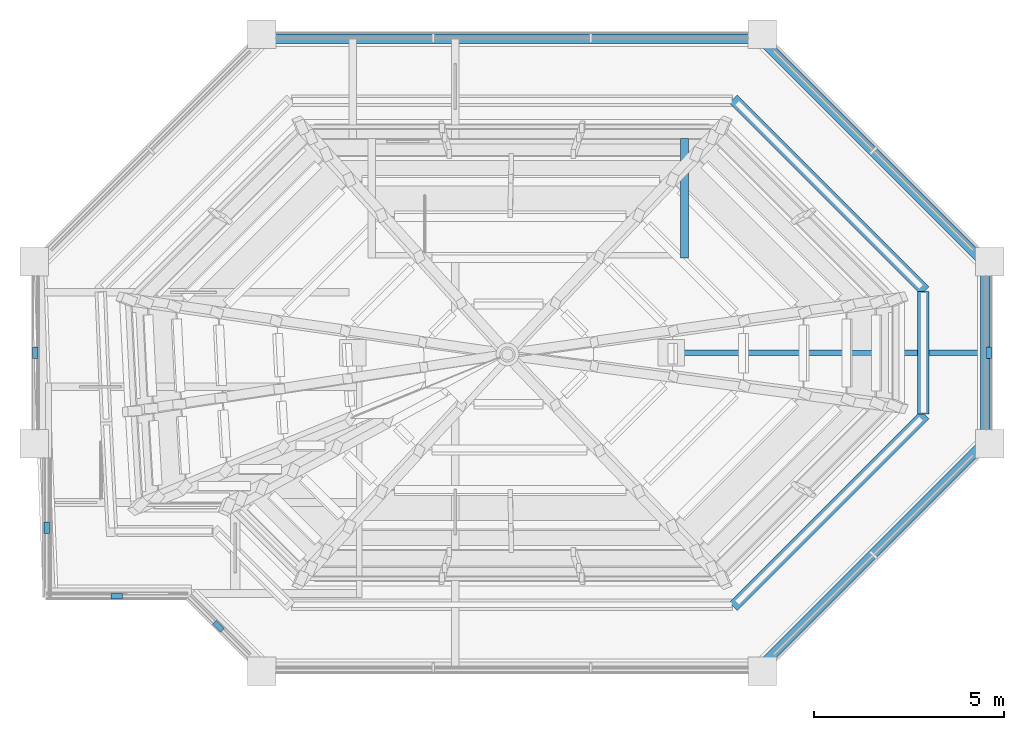
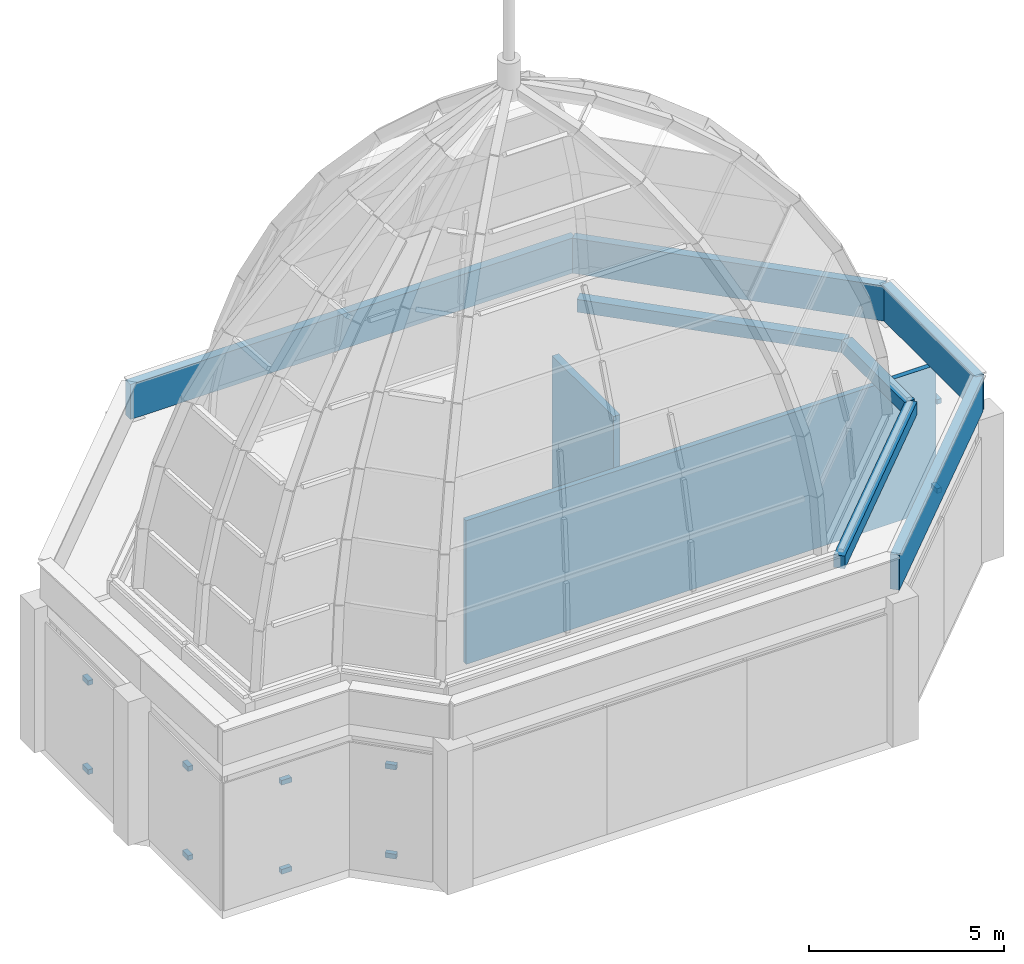
# One storey, part 5 of 9: 10 discrete accessories, 9 walls.
"""IFC4 building model written with IfcOpenShell, lengths in metres."""

from ifc_helpers import new_model, si_unit, direction, frame, frame_2d, origin, origin_2d, place, context, subcontext, project, spatial, rectangle, extrude, material, layer, layer_set, type_object, element, save


model = new_model("IFC4")

# Units and contexts
model_context = context("Model", 3, precision=1e-05, world=origin(), true_north=direction((0.0, 1.0)))
body_context = subcontext(model_context, "Body", "Model", "MODEL_VIEW")
ifc_project = project(units=[si_unit("LENGTHUNIT", "METRE"), si_unit("AREAUNIT", "SQUARE_METRE"), si_unit("VOLUMEUNIT", "CUBIC_METRE"), si_unit("PLANEANGLEUNIT", "RADIAN"), si_unit("MASSUNIT", "GRAM", prefix="KILO")], contexts=[model_context])

# Site, building, storey
site_placement = place(None, origin())
site = spatial("IfcSite", under=ifc_project, at=site_placement, CompositionType="ELEMENT")
building_placement = place(site_placement, origin())
building = spatial("IfcBuilding", under=site, at=building_placement, Name="Kawkab Arch Medical Tower", CompositionType="ELEMENT")
storey_placement = place(building_placement, frame((0.0, 0.0, 359.199951171875)))
storey = spatial("IfcBuildingStorey", under=building, at=storey_placement, Name="L83", CompositionType="ELEMENT", Elevation=359.199951171875)

# Walls
ifc_material_1 = material(Name="Concrete C40/50", Category="concrete")
ifc_layer_1 = layer(ifc_material_1, 0.300048828125)
ifc_layer_set_1 = layer_set([ifc_layer_1], Name="Concrete C40/50")
wall_type_1 = type_object("IfcWallType", Name="BMU curb 300 x 400", PredefinedType="SOLIDWALL", material=ifc_layer_set_1)
wall_1_placement = place(storey_placement, frame((18.43115234375, -26.906005859375, 4.5), z_axis=(0.0, 0.0, 1.0), x_axis=(0.707106781187, -0.707106781187, 0.0)))
element("IfcWall", 1, at=wall_1_placement, inside=storey, type_object=wall_type_1, Name="BMU rail curb 3", PredefinedType="SOLIDWALL", context=body_context, shape_type="SweptSolid", body=[
    extrude(rectangle(XDim=7.159912109375, YDim=0.300048828125, at=frame_2d((3.580078125, 0.0))), origin(), (0.0, 0.0, 1.0), 0.400146484375),
])
wall_2_placement = place(storey_placement, frame((23.449951171875, -31.987060546875, 4.5), z_axis=(0.0, 0.0, 1.0), x_axis=(0.0, -1.0, 0.0)))
element("IfcWall", 2, at=wall_2_placement, inside=storey, type_object=wall_type_1, Name="BMU rail curb 4", PredefinedType="SOLIDWALL", context=body_context, shape_type="SweptSolid", body=[
    extrude(rectangle(XDim=3.225830078125, YDim=0.300048828125, at=frame_2d((1.61279296875, 0.0))), origin(), (0.0, 0.0, 1.0), 0.400146484375),
])
wall_3_placement = place(storey_placement, frame((23.493896484375, -35.231201171875, 4.5), z_axis=(0.0, 0.0, 1.0), x_axis=(-0.707106781187, -0.707106781187, 0.0)))
element("IfcWall", 3, at=wall_3_placement, inside=storey, type_object=wall_type_1, Name="BMU rail curb 5", PredefinedType="SOLIDWALL", context=body_context, shape_type="SweptSolid", body=[
    extrude(rectangle(XDim=7.159912109375, YDim=0.300048828125, at=frame_2d((3.580078125, 0.0))), origin(), (0.0, 0.0, 1.0), 0.400146484375),
])
ifc_material_2 = material(Name="Bronze clad insulated wall panel")
ifc_layer_2 = layer(ifc_material_2, 0.25)
ifc_layer_set_2 = layer_set([ifc_layer_2], Name="Bronze clad insulated wall panel")
wall_type_2 = type_object("IfcWallType", Name="Crown parapet 250", PredefinedType="SOLIDWALL", material=ifc_layer_set_2)
wall_4_placement = place(storey_placement, frame((19.184814453125, -41.83837890625, 4.5), z_axis=(0.0, 0.0, 1.0), x_axis=(0.707106781187, 0.707106781187, 0.0)))
element("IfcWall", 4, at=wall_4_placement, inside=storey, type_object=wall_type_2, Name="Parapet, crown peak B 4", PredefinedType="SOLIDWALL", context=body_context, shape_type="SweptSolid", body=[
    extrude(rectangle(XDim=8.278076171875, YDim=0.25, at=frame_2d((4.13916015625, 0.0))), origin(), (0.0, 0.0, 1.0), 1.10009765625),
])
wall_5_placement = place(storey_placement, frame((25.074951171875, -36.0, 4.5), z_axis=(0.0, 0.0, 1.0), x_axis=(0.0, 1.0, 0.0)))
element("IfcWall", 5, at=wall_5_placement, inside=storey, type_object=wall_type_2, Name="Parapet, crown peak B 5", PredefinedType="SOLIDWALL", context=body_context, shape_type="SweptSolid", body=[
    extrude(rectangle(XDim=4.800048828125, YDim=0.25, at=frame_2d((2.39990234375, 0.0))), origin(), (0.0, 0.0, 1.0), 1.10009765625),
])
wall_6_placement = place(storey_placement, frame((25.038330078125, -31.215087890625, 4.5), z_axis=(0.0, 0.0, 1.0), x_axis=(-0.707106781187, 0.707106781187, 0.0)))
element("IfcWall", 6, at=wall_6_placement, inside=storey, type_object=wall_type_2, Name="Parapet, crown peak B 6", PredefinedType="SOLIDWALL", context=body_context, shape_type="SweptSolid", body=[
    extrude(rectangle(XDim=8.278076171875, YDim=0.25, at=frame_2d((4.13916015625, 0.0))), origin(), (0.0, 0.0, 1.0), 1.10009765625),
])
wall_7_placement = place(storey_placement, frame((19.199951171875, -25.324951171875, 4.5), z_axis=(0.0, 0.0, 1.0), x_axis=(-1.0, 0.0, 0.0)))
element("IfcWall", 7, at=wall_7_placement, inside=storey, type_object=wall_type_2, Name="Parapet, crown peak B 7", PredefinedType="SOLIDWALL", context=body_context, shape_type="SweptSolid", body=[
    extrude(rectangle(XDim=13.199951171875, YDim=0.25, at=frame_2d((6.60009765625, 0.0))), origin(), (0.0, 0.0, 1.0), 1.10009765625),
])
ifc_material_3 = material(Name="Gypsum board partition on steel studs, mineral wool", Category="steel")
ifc_layer_3 = layer(ifc_material_3, 0.14990234375)
ifc_layer_set_3 = layer_set([ifc_layer_3], Name="Gypsum board partition on steel studs, mineral wool")
wall_type_3 = type_object("IfcWallType", Name="Partition 150", PredefinedType="PARTITIONING", material=ifc_layer_set_3)
wall_8_placement = place(storey_placement, frame((11.199951171875, -33.60009765625, 0.0), z_axis=(0.0, 0.0, 1.0), x_axis=(1.0, 0.0, 0.0)))
element("IfcWall", 8, at=wall_8_placement, inside=storey, type_object=wall_type_3, Name="Partition 150 w001", PredefinedType="PARTITIONING", context=body_context, shape_type="SweptSolid", body=[
    extrude(rectangle(XDim=13.920166015625, YDim=0.14990234375, at=frame_2d((6.9599609375, 0.0))), origin(), (0.0, 0.0, 1.0), 4.5),
])
ifc_material_4 = material(Name="Concrete C50/60", Category="concrete")
ifc_layer_4 = layer(ifc_material_4, 0.199951171875)
ifc_layer_set_4 = layer_set([ifc_layer_4], Name="Concrete C50/60")
wall_type_4 = type_object("IfcWallType", Name="Stair enclosure wall 200 C50/60", PredefinedType="SHEAR", material=ifc_layer_set_4)
wall_9_placement = place(storey_placement, frame((17.14990234375, -31.10009765625, 0.0), z_axis=(0.0, 0.0, 1.0), x_axis=(0.0, 1.0, 0.0)))
element("IfcWall", 9, at=wall_9_placement, inside=storey, type_object=wall_type_4, Name="L83 stair enclosure wall", PredefinedType="SHEAR", context=body_context, shape_type="SweptSolid", body=[
    extrude(rectangle(XDim=3.150146484375, YDim=0.199951171875, at=frame_2d((1.5751953125, 0.0))), origin(), (0.0, 0.0, 1.0), 4.150146484375),
])

# Discrete accessories
ifc_material_5 = material(Name="Galvanised steel screen bracket", Category="steel")
discrete_accessory_type = type_object("IfcDiscreteAccessoryType", Name="Screen bracket 300 x 150", PredefinedType="BRACKET", material=ifc_material_5)
for number, where, z_axis, x_axis, name in (
    (10, (0.027587890625, -33.60009765625, 0.525146484375), (0.0, 0.0, 1.0), (0.0, -1.0, 0.0), "Screen bracket L83 R01.1.1.1"),
    (11, (0.027587890625, -33.60009765625, 3.315185546875), (0.0, 0.0, 1.0), (0.0, -1.0, 0.0), "Screen bracket L83 R01.1.1.2"),
    (12, (0.327392578125, -38.21240234375, 0.525146484375), (0.0, 0.0, 1.0), (0.0, -1.0, 0.0), "Screen bracket L83 R03.1.1.1"),
    (13, (0.327392578125, -38.21240234375, 3.315185546875), (0.0, 0.0, 1.0), (0.0, -1.0, 0.0), "Screen bracket L83 R03.1.1.2"),
    (14, (2.175048828125, -40.0224609375, 0.525146484375), (0.0, 0.0, 1.0), (1.0, 0.0, 0.0), "Screen bracket L83 R04.1.1.1"),
    (15, (2.175048828125, -40.0224609375, 3.315185546875), (0.0, 0.0, 1.0), (1.0, 0.0, 0.0), "Screen bracket L83 R04.1.1.2"),
    (16, (4.85693359375, -40.818115234375, 0.525146484375), (0.0, 0.0, 1.0), (0.707106781187, -0.707106781187, 0.0), "Screen bracket L83 R05.1.1.1"),
    (17, (4.85693359375, -40.818115234375, 3.315185546875), (0.0, 0.0, 1.0), (0.707106781187, -0.707106781187, 0.0), "Screen bracket L83 R05.1.1.2"),
    (18, (25.172607421875, -33.60009765625, 0.525146484375), (0.0, 0.0, 1.0), (0.0, 1.0, 0.0), "Screen bracket L83 R08.1.1.1"),
    (19, (25.172607421875, -33.60009765625, 3.315185546875), (0.0, 0.0, 1.0), (0.0, 1.0, 0.0), "Screen bracket L83 R08.1.1.2"),
):
    element("IfcDiscreteAccessory", number, at=place(storey_placement, frame(where, z_axis=z_axis, x_axis=x_axis)), inside=storey, type_object=discrete_accessory_type, Name=name, PredefinedType="BRACKET", context=body_context, shape_type="SweptSolid", body=[
        extrude(rectangle(XDim=0.300048828125, YDim=0.14501953125, at=origin_2d()), origin(), (0.0, 0.0, 1.0), 0.14990234375),
    ])

save(model, "model.ifc")
